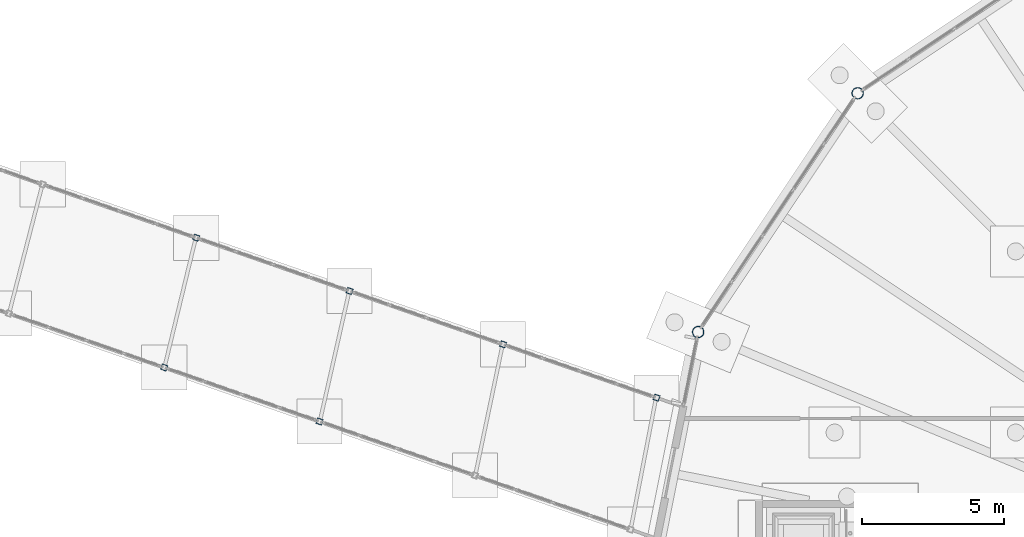
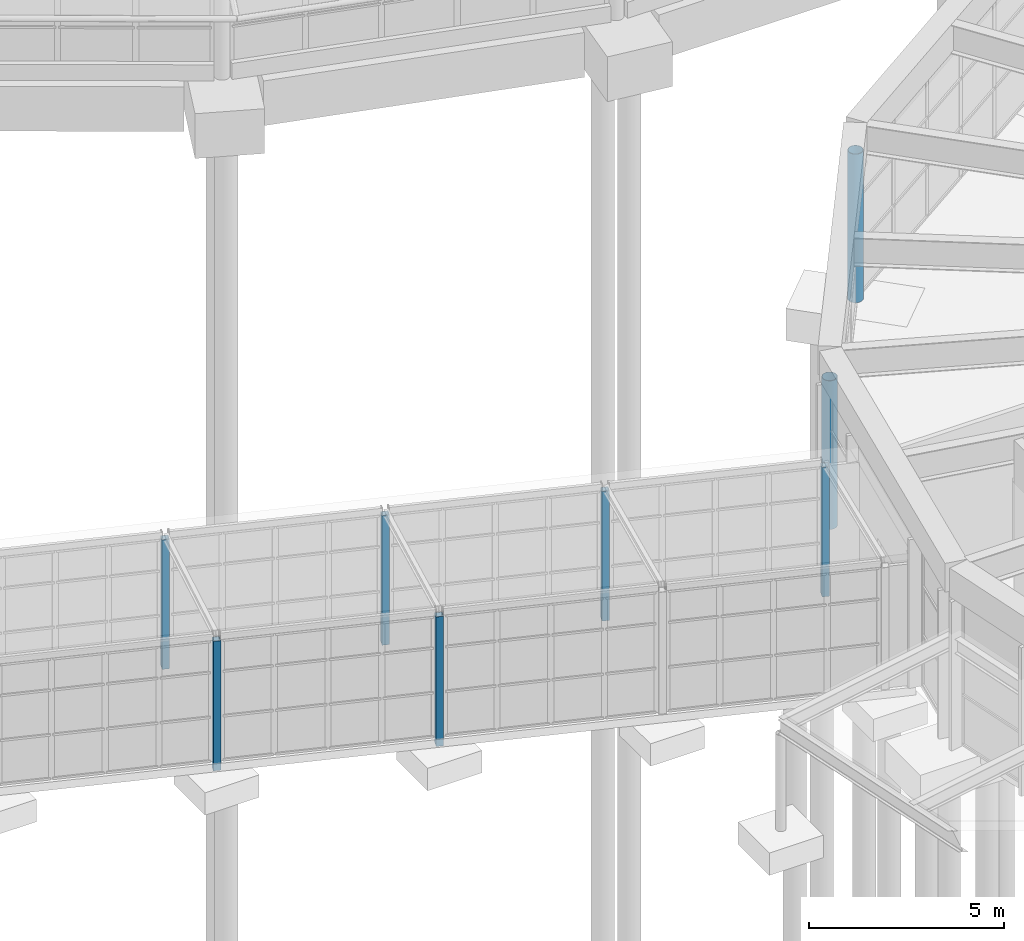
# One storey, part 18 of 226: 8 columns.
"""IFC4 building model written with IfcOpenShell, lengths in metres."""

from ifc_helpers import new_model, si_unit, direction, frame, origin, origin_2d, place, context, subcontext, project, spatial, hollow_rectangle, hollow_circle, extrude, material, material_profile, profile_set, type_object, element, save


model = new_model("IFC4")

# Units and contexts
model_context = context("Model", 3, precision=1e-05, world=origin(), true_north=direction((0.0, 1.0)))
body_context = subcontext(model_context, "Body", "Model", "MODEL_VIEW")
ifc_project = project(units=[si_unit("LENGTHUNIT", "METRE"), si_unit("AREAUNIT", "SQUARE_METRE"), si_unit("VOLUMEUNIT", "CUBIC_METRE"), si_unit("PLANEANGLEUNIT", "RADIAN"), si_unit("MASSUNIT", "GRAM", prefix="KILO")], contexts=[model_context])

# Site, building, storey
site_placement = place(None, origin())
site = spatial("IfcSite", under=ifc_project, at=site_placement, CompositionType="ELEMENT")
building_placement = place(site_placement, origin())
building = spatial("IfcBuilding", under=site, at=building_placement, Name="Ceibo Conservatory and Research Tower", CompositionType="ELEMENT")
storey_placement = place(building_placement, origin())
storey = spatial("IfcBuildingStorey", under=building, at=storey_placement, Name="L00", CompositionType="ELEMENT", Elevation=0.0)

# Columns
ifc_material_1 = material(Name="Steel ASTM A500 Gr C", Category="steel")
ifc_material_profile_1 = material_profile(ifc_material_1, hollow_circle(Radius=0.203125, WallThickness=0.0126953125, at=origin_2d()), Name="CHS column 406.4x12.70")
ifc_profile_set_1 = profile_set([ifc_material_profile_1], Name="Steel ASTM A500 Gr C")
column_type_1 = type_object("IfcColumnType", Name="CHS column 406.4x12.70", PredefinedType="COLUMN", material=ifc_profile_set_1)
for number, where, z_axis, x_axis, name in (
    (1, (149.615234375, 54.384765625, 0.0), (0.0, 0.0, 1.0), (1.0, 0.0, 0.0), "Pavilion column VC-C07"),
    (2, (143.979248046875, 45.94970703125, 0.0), (0.0, 0.0, 1.0), (1.0, 0.0, 0.0), "Pavilion column VC-C08"),
):
    element("IfcColumn", number, at=place(storey_placement, frame(where, z_axis=z_axis, x_axis=x_axis)), inside=storey, type_object=column_type_1, Name=name, PredefinedType="COLUMN", context=body_context, shape_type="SweptSolid", body=[
        extrude(hollow_circle(Radius=0.203125, WallThickness=0.0126953125, at=origin_2d()), origin(), (0.0, 0.0, 1.0), 4.64892578125),
    ])
ifc_material_2 = material(Name="Steel S355J2H", Category="steel")
ifc_material_profile_2 = material_profile(ifc_material_2, hollow_rectangle(XDim=0.199951171875, YDim=0.199951171875, WallThickness=0.010009765625, at=origin_2d()), Name="RHS column 200x200x10")
ifc_profile_set_2 = profile_set([ifc_material_profile_2], Name="Steel S355J2H")
column_type_2 = type_object("IfcColumnType", Name="RHS column 200x200x10", PredefinedType="COLUMN", material=ifc_profile_set_2)
for number, where, z_axis, x_axis, name in (
    (3, (126.24609375, 49.281982421875, -0.25), (0.0, 0.0, 1.0), (0.944579236191, -0.328283515513, 0.0), "Gallery column AUD-VC-CN11"),
    (4, (125.1171875, 44.698486328125, -0.25), (0.0, 0.0, 1.0), (0.944579236191, -0.328283515513, 0.0), "Gallery column AUD-VC-CS11"),
    (5, (131.666748046875, 47.39794921875, -0.25), (0.0, 0.0, 1.0), (0.944579236191, -0.328283515513, 0.0), "Gallery column AUD-VC-CN12"),
    (6, (130.60546875, 42.791015625, -0.25), (0.0, 0.0, 1.0), (0.944579236191, -0.328283515513, 0.0), "Gallery column AUD-VC-CS12"),
    (7, (137.087158203125, 45.51416015625, -0.25), (0.0, 0.0, 1.0), (0.944579236191, -0.328283515513, 0.0), "Gallery column AUD-VC-CN13"),
    (8, (142.5078125, 43.630126953125, -0.25), (0.0, 0.0, 1.0), (0.944579236191, -0.328283515513, 0.0), "Gallery column AUD-VC-CN14"),
):
    element("IfcColumn", number, at=place(storey_placement, frame(where, z_axis=z_axis, x_axis=x_axis)), inside=storey, type_object=column_type_2, Name=name, PredefinedType="COLUMN", context=body_context, shape_type="SweptSolid", body=[
        extrude(hollow_rectangle(XDim=0.199951171875, YDim=0.199951171875, WallThickness=0.010009765625, at=origin_2d()), origin(), (0.0, 0.0, 1.0), 4.050048828125),
    ])

save(model, "model.ifc")
